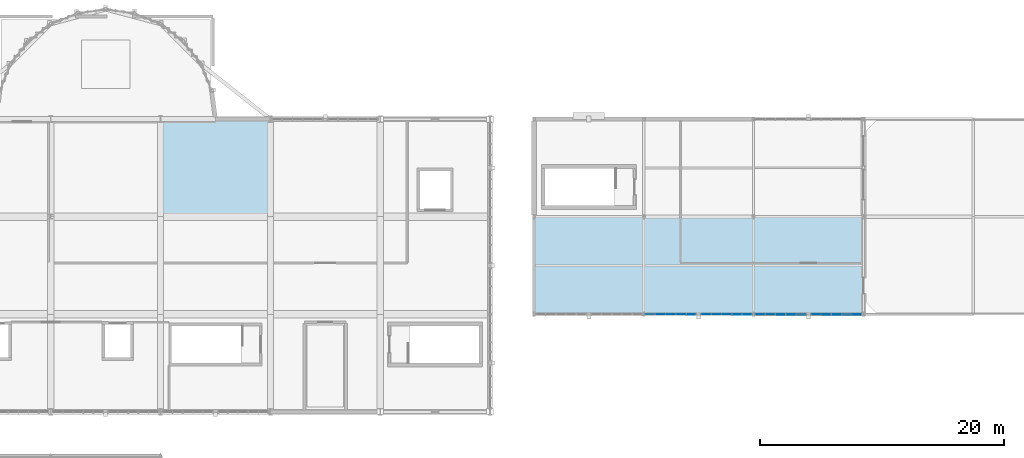
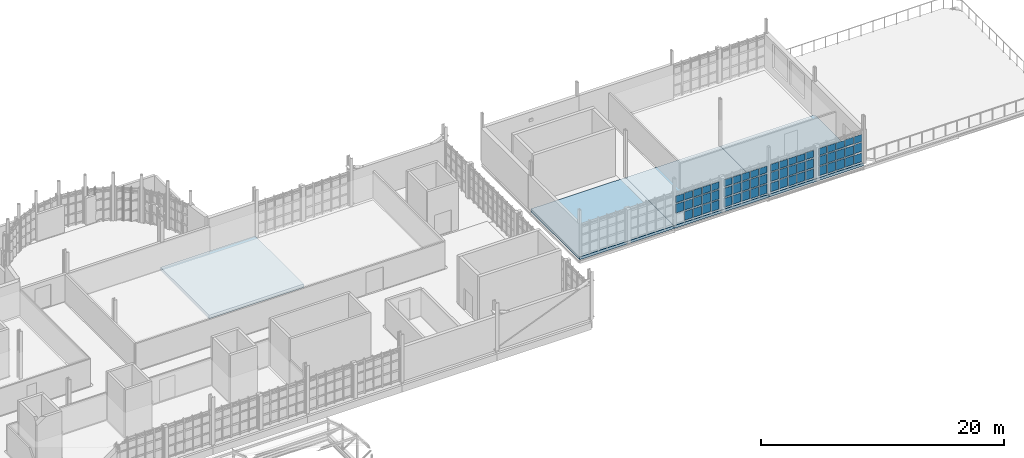
# One storey, part 91 of 128: 59 plates, 4 slabs, 4 elements without a shape of their own.
"""IFC4 building model written with IfcOpenShell, lengths in metres."""

from ifc_helpers import new_model, si_unit, direction, frame, origin, origin_2d, place, context, subcontext, project, spatial, polyline, rectangle, outline, extrude, material, layer, layer_set, type_object, element, aggregate, save


model = new_model("IFC4")

# Units and contexts
model_context = context("Model", 3, precision=1e-05, world=origin(), true_north=direction((0.0, 1.0)))
body_context = subcontext(model_context, "Body", "Model", "MODEL_VIEW")
ifc_project = project(units=[si_unit("LENGTHUNIT", "METRE"), si_unit("AREAUNIT", "SQUARE_METRE"), si_unit("VOLUMEUNIT", "CUBIC_METRE"), si_unit("PLANEANGLEUNIT", "RADIAN"), si_unit("MASSUNIT", "GRAM", prefix="KILO")], contexts=[model_context])

# Site, building, storey
site_placement = place(None, origin())
site = spatial("IfcSite", under=ifc_project, at=site_placement, CompositionType="ELEMENT")
building_placement = place(site_placement, origin())
building = spatial("IfcBuilding", under=site, at=building_placement, Name="Serraforn Aerial Cableway Station", CompositionType="ELEMENT")
storey_placement = place(building_placement, frame((0.0, 0.0, 9.0)))
storey = spatial("IfcBuildingStorey", under=building, at=storey_placement, Name="L02", CompositionType="ELEMENT", Elevation=9.0)

# Curtain wall, plates
ifc_material_1 = material(Name="Anodised bronze unitised curtain wall")
curtain_wall_type_1 = type_object("IfcCurtainWallType", Name="CW-SYS-25", PredefinedType="USERDEFINED", material=ifc_material_1)
curtain_wall_1_placement = place(storey_placement, origin())
curtain_wall_1 = element("IfcCurtainWall", 1, at=curtain_wall_1_placement, inside=storey, type_object=curtain_wall_type_1, Name="Unitised Curtain Wall CW-EL-L02-S2A", ObjectType="UNITISED CURTAIN WALL", PredefinedType="USERDEFINED")
ifc_material_2 = material(Name="Solar-control low-E double glazing", Category="glass")
ifc_layer_1 = layer(ifc_material_2, 0.02587890625)
ifc_layer_set_1 = layer_set([ifc_layer_1], Name="Solar-control low-E double glazing")
plate_type_1 = type_object("IfcPlateType", Name="CW-GLZ-1", PredefinedType="CURTAIN_PANEL", material=ifc_layer_set_1)
plate_1_placement = place(storey_placement, frame((104.563232421875, 26.0, 2.26953125), z_axis=(0.0, 0.0, 1.0), x_axis=(1.0, 0.0, 0.0)))
plate_1 = element("IfcPlate", 2, at=plate_1_placement, type_object=plate_type_1, Name="Curtain Wall Panel CW-EL-L02-S2A-P2-3", PredefinedType="CURTAIN_PANEL", context=body_context, shape_type="SweptSolid", body=[
    extrude(rectangle(XDim=0.785888671875, YDim=0.02587890625, at=origin_2d()), origin(), (0.0, 0.0, 1.0), 0.687255859375),
])
plate_2_placement = place(storey_placement, frame((105.40771484375, 26.0, 1.243408203125), z_axis=(0.0, 0.0, 1.0), x_axis=(1.0, 0.0, 0.0)))
plate_2 = element("IfcPlate", 3, at=plate_2_placement, type_object=plate_type_1, Name="Curtain Wall Panel CW-EL-L02-S2A-P3-2", PredefinedType="CURTAIN_PANEL", context=body_context, shape_type="SweptSolid", body=[
    extrude(rectangle(XDim=0.781005859375, YDim=0.02587890625, at=origin_2d()), origin(), (0.0, 0.0, 1.0), 0.892578125),
])
plate_3_placement = place(storey_placement, frame((106.252197265625, 26.0, 0.21728515625), z_axis=(0.0, 0.0, 1.0), x_axis=(1.0, 0.0, 0.0)))
plate_3 = element("IfcPlate", 4, at=plate_3_placement, type_object=plate_type_1, Name="Curtain Wall Panel CW-EL-L02-S2A-P4-1", PredefinedType="CURTAIN_PANEL", context=body_context, shape_type="SweptSolid", body=[
    extrude(rectangle(XDim=0.77587890625, YDim=0.02587890625, at=origin_2d()), origin(), (0.0, 0.0, 1.0), 0.892578125),
])

curtain_wall_type_2 = type_object("IfcCurtainWallType", Name="CW-SYS-26", PredefinedType="USERDEFINED", material=ifc_material_1)
curtain_wall_2_placement = place(storey_placement, origin())
curtain_wall_2 = element("IfcCurtainWall", 5, at=curtain_wall_2_placement, inside=storey, type_object=curtain_wall_type_2, Name="Unitised Curtain Wall CW-EL-L02-S2B", ObjectType="UNITISED CURTAIN WALL", PredefinedType="USERDEFINED")
plate_4_placement = place(storey_placement, frame((108.31591796875, 26.0, 2.26953125), z_axis=(0.0, 0.0, 1.0), x_axis=(1.0, 0.0, 0.0)))
plate_4 = element("IfcPlate", 6, at=plate_4_placement, type_object=plate_type_1, Name="Curtain Wall Panel CW-EL-L02-S2B-P1-3", PredefinedType="CURTAIN_PANEL", context=body_context, shape_type="SweptSolid", body=[
    extrude(rectangle(XDim=0.755859375, YDim=0.02587890625, at=origin_2d()), origin(), (0.0, 0.0, 1.0), 0.687255859375),
])
plate_5_placement = place(storey_placement, frame((109.145263671875, 26.0, 1.243408203125), z_axis=(0.0, 0.0, 1.0), x_axis=(1.0, 0.0, 0.0)))
plate_5 = element("IfcPlate", 7, at=plate_5_placement, type_object=plate_type_1, Name="Curtain Wall Panel CW-EL-L02-S2B-P2-2", PredefinedType="CURTAIN_PANEL", context=body_context, shape_type="SweptSolid", body=[
    extrude(rectangle(XDim=0.781005859375, YDim=0.02587890625, at=origin_2d()), origin(), (0.0, 0.0, 1.0), 0.892578125),
])
plate_6_placement = place(storey_placement, frame((109.98974609375, 26.0, 0.21728515625), z_axis=(0.0, 0.0, 1.0), x_axis=(1.0, 0.0, 0.0)))
plate_6 = element("IfcPlate", 8, at=plate_6_placement, type_object=plate_type_1, Name="Curtain Wall Panel CW-EL-L02-S2B-P3-1", PredefinedType="CURTAIN_PANEL", context=body_context, shape_type="SweptSolid", body=[
    extrude(rectangle(XDim=0.77587890625, YDim=0.02587890625, at=origin_2d()), origin(), (0.0, 0.0, 1.0), 0.892578125),
])

curtain_wall_type_3 = type_object("IfcCurtainWallType", Name="CW-SYS-27", PredefinedType="USERDEFINED", material=ifc_material_1)
curtain_wall_3_placement = place(storey_placement, origin())
curtain_wall_3 = element("IfcCurtainWall", 9, at=curtain_wall_3_placement, inside=storey, type_object=curtain_wall_type_3, Name="Unitised Curtain Wall CW-EL-L02-S3A", ObjectType="UNITISED CURTAIN WALL", PredefinedType="USERDEFINED")
plate_7_placement = place(storey_placement, frame((112.735107421875, 26.0, 1.243408203125), z_axis=(0.0, 0.0, 1.0), x_axis=(1.0, 0.0, 0.0)))
plate_7 = element("IfcPlate", 10, at=plate_7_placement, type_object=plate_type_1, Name="Curtain Wall Panel CW-EL-L02-S3A-P1-2", PredefinedType="CURTAIN_PANEL", context=body_context, shape_type="SweptSolid", body=[
    extrude(rectangle(XDim=0.748291015625, YDim=0.02587890625, at=origin_2d()), origin(), (0.0, 0.0, 1.0), 0.892578125),
])
plate_8_placement = place(storey_placement, frame((113.563232421875, 26.0, 0.21728515625), z_axis=(0.0, 0.0, 1.0), x_axis=(1.0, 0.0, 0.0)))
plate_8 = element("IfcPlate", 11, at=plate_8_placement, type_object=plate_type_1, Name="Curtain Wall Panel CW-EL-L02-S3A-P2-1", PredefinedType="CURTAIN_PANEL", context=body_context, shape_type="SweptSolid", body=[
    extrude(rectangle(XDim=0.77587890625, YDim=0.02587890625, at=origin_2d()), origin(), (0.0, 0.0, 1.0), 0.892578125),
])

# Curtain wall, plate
curtain_wall_type_4 = type_object("IfcCurtainWallType", Name="CW-SYS-28", PredefinedType="USERDEFINED", material=ifc_material_1)
curtain_wall_4_placement = place(storey_placement, origin())
curtain_wall_4 = element("IfcCurtainWall", 12, at=curtain_wall_4_placement, inside=storey, type_object=curtain_wall_type_4, Name="Unitised Curtain Wall CW-EL-L02-S3B", ObjectType="UNITISED CURTAIN WALL", PredefinedType="USERDEFINED")
plate_9_placement = place(storey_placement, frame((117.318359375, 26.0, 0.21728515625), z_axis=(0.0, 0.0, 1.0), x_axis=(1.0, 0.0, 0.0)))
plate_9 = element("IfcPlate", 13, at=plate_9_placement, type_object=plate_type_1, Name="Curtain Wall Panel CW-EL-L02-S3B-P1-1", PredefinedType="CURTAIN_PANEL", context=body_context, shape_type="SweptSolid", body=[
    extrude(rectangle(XDim=0.740966796875, YDim=0.02587890625, at=origin_2d()), origin(), (0.0, 0.0, 1.0), 0.892578125),
])

# Plate
ifc_layer_2 = layer(ifc_material_2, 0.028076171875)
ifc_layer_set_2 = layer_set([ifc_layer_2], Name="Solar-control low-E double glazing")
plate_type_2 = type_object("IfcPlateType", Name="CW-GLZ-2", PredefinedType="CURTAIN_PANEL", material=ifc_layer_set_2)
plate_10_placement = place(storey_placement, frame((105.40771484375, 26.0, 2.24169921875), z_axis=(0.0, 0.0, 1.0), x_axis=(1.0, 0.0, 0.0)))
plate_10 = element("IfcPlate", 14, at=plate_10_placement, type_object=plate_type_2, Name="Curtain Wall Panel CW-EL-L02-S2A-P3-3", PredefinedType="CURTAIN_PANEL", context=body_context, shape_type="SweptSolid", body=[
    extrude(rectangle(XDim=0.781005859375, YDim=0.028076171875, at=origin_2d()), origin(), (0.0, 0.0, 1.0), 0.709716796875),
])

plate_11_placement = place(storey_placement, frame((106.252197265625, 26.0, 1.2158203125), z_axis=(0.0, 0.0, 1.0), x_axis=(1.0, 0.0, 0.0)))
plate_11 = element("IfcPlate", 15, at=plate_11_placement, type_object=plate_type_2, Name="Curtain Wall Panel CW-EL-L02-S2A-P4-2", PredefinedType="CURTAIN_PANEL", context=body_context, shape_type="SweptSolid", body=[
    extrude(rectangle(XDim=0.77587890625, YDim=0.028076171875, at=origin_2d()), origin(), (0.0, 0.0, 1.0), 0.9150390625),
])

plate_12_placement = place(storey_placement, frame((107.089111328125, 26.0, 0.189697265625), z_axis=(0.0, 0.0, 1.0), x_axis=(1.0, 0.0, 0.0)))
plate_12 = element("IfcPlate", 16, at=plate_12_placement, type_object=plate_type_2, Name="Curtain Wall Panel CW-EL-L02-S2A-P5-1", PredefinedType="CURTAIN_PANEL", context=body_context, shape_type="SweptSolid", body=[
    extrude(rectangle(XDim=0.755859375, YDim=0.028076171875, at=origin_2d()), origin(), (0.0, 0.0, 1.0), 0.9150390625),
])

plate_13_placement = place(storey_placement, frame((109.145263671875, 26.0, 2.24169921875), z_axis=(0.0, 0.0, 1.0), x_axis=(1.0, 0.0, 0.0)))
plate_13 = element("IfcPlate", 17, at=plate_13_placement, type_object=plate_type_2, Name="Curtain Wall Panel CW-EL-L02-S2B-P2-3", PredefinedType="CURTAIN_PANEL", context=body_context, shape_type="SweptSolid", body=[
    extrude(rectangle(XDim=0.781005859375, YDim=0.028076171875, at=origin_2d()), origin(), (0.0, 0.0, 1.0), 0.709716796875),
])

plate_14_placement = place(storey_placement, frame((109.98974609375, 26.0, 1.2158203125), z_axis=(0.0, 0.0, 1.0), x_axis=(1.0, 0.0, 0.0)))
plate_14 = element("IfcPlate", 18, at=plate_14_placement, type_object=plate_type_2, Name="Curtain Wall Panel CW-EL-L02-S2B-P3-2", PredefinedType="CURTAIN_PANEL", context=body_context, shape_type="SweptSolid", body=[
    extrude(rectangle(XDim=0.77587890625, YDim=0.028076171875, at=origin_2d()), origin(), (0.0, 0.0, 1.0), 0.9150390625),
])

plate_15_placement = place(storey_placement, frame((110.84033203125, 26.0, 0.189697265625), z_axis=(0.0, 0.0, 1.0), x_axis=(1.0, 0.0, 0.0)))
plate_15 = element("IfcPlate", 19, at=plate_15_placement, type_object=plate_type_2, Name="Curtain Wall Panel CW-EL-L02-S2B-P4-1", PredefinedType="CURTAIN_PANEL", context=body_context, shape_type="SweptSolid", body=[
    extrude(rectangle(XDim=0.783447265625, YDim=0.028076171875, at=origin_2d()), origin(), (0.0, 0.0, 1.0), 0.9150390625),
])

plate_16_placement = place(storey_placement, frame((112.735107421875, 26.0, 2.24169921875), z_axis=(0.0, 0.0, 1.0), x_axis=(1.0, 0.0, 0.0)))
plate_16 = element("IfcPlate", 20, at=plate_16_placement, type_object=plate_type_2, Name="Curtain Wall Panel CW-EL-L02-S3A-P1-3", PredefinedType="CURTAIN_PANEL", context=body_context, shape_type="SweptSolid", body=[
    extrude(rectangle(XDim=0.748291015625, YDim=0.028076171875, at=origin_2d()), origin(), (0.0, 0.0, 1.0), 0.709716796875),
])

plate_17_placement = place(storey_placement, frame((113.563232421875, 26.0, 1.2158203125), z_axis=(0.0, 0.0, 1.0), x_axis=(1.0, 0.0, 0.0)))
plate_17 = element("IfcPlate", 21, at=plate_17_placement, type_object=plate_type_2, Name="Curtain Wall Panel CW-EL-L02-S3A-P2-2", PredefinedType="CURTAIN_PANEL", context=body_context, shape_type="SweptSolid", body=[
    extrude(rectangle(XDim=0.77587890625, YDim=0.028076171875, at=origin_2d()), origin(), (0.0, 0.0, 1.0), 0.9150390625),
])

plate_18_placement = place(storey_placement, frame((114.4140625, 26.0, 0.189697265625), z_axis=(0.0, 0.0, 1.0), x_axis=(1.0, 0.0, 0.0)))
plate_18 = element("IfcPlate", 22, at=plate_18_placement, type_object=plate_type_2, Name="Curtain Wall Panel CW-EL-L02-S3A-P3-1", PredefinedType="CURTAIN_PANEL", context=body_context, shape_type="SweptSolid", body=[
    extrude(rectangle(XDim=0.783447265625, YDim=0.028076171875, at=origin_2d()), origin(), (0.0, 0.0, 1.0), 0.9150390625),
])

plate_19_placement = place(storey_placement, frame((117.318359375, 26.0, 1.2158203125), z_axis=(0.0, 0.0, 1.0), x_axis=(1.0, 0.0, 0.0)))
plate_19 = element("IfcPlate", 23, at=plate_19_placement, type_object=plate_type_2, Name="Curtain Wall Panel CW-EL-L02-S3B-P1-2", PredefinedType="CURTAIN_PANEL", context=body_context, shape_type="SweptSolid", body=[
    extrude(rectangle(XDim=0.740966796875, YDim=0.028076171875, at=origin_2d()), origin(), (0.0, 0.0, 1.0), 0.9150390625),
])

plate_20_placement = place(storey_placement, frame((118.151611328125, 26.0, 0.189697265625), z_axis=(0.0, 0.0, 1.0), x_axis=(1.0, 0.0, 0.0)))
plate_20 = element("IfcPlate", 24, at=plate_20_placement, type_object=plate_type_2, Name="Curtain Wall Panel CW-EL-L02-S3B-P2-1", PredefinedType="CURTAIN_PANEL", context=body_context, shape_type="SweptSolid", body=[
    extrude(rectangle(XDim=0.783447265625, YDim=0.028076171875, at=origin_2d()), origin(), (0.0, 0.0, 1.0), 0.9150390625),
])

ifc_layer_3 = layer(ifc_material_2, 0.030029296875)
ifc_layer_set_3 = layer_set([ifc_layer_3], Name="Solar-control low-E double glazing")
plate_type_3 = type_object("IfcPlateType", Name="CW-GLZ-3", PredefinedType="CURTAIN_PANEL", material=ifc_layer_set_3)
plate_21_placement = place(storey_placement, frame((106.252197265625, 26.0, 2.246826171875), z_axis=(0.0, 0.0, 1.0), x_axis=(1.0, 0.0, 0.0)))
plate_21 = element("IfcPlate", 25, at=plate_21_placement, type_object=plate_type_3, Name="Curtain Wall Panel CW-EL-L02-S2A-P4-3", PredefinedType="CURTAIN_PANEL", context=body_context, shape_type="SweptSolid", body=[
    extrude(rectangle(XDim=0.77587890625, YDim=0.030029296875, at=origin_2d()), origin(), (0.0, 0.0, 1.0), 0.697265625),
])

plate_22_placement = place(storey_placement, frame((107.089111328125, 26.0, 1.220703125), z_axis=(0.0, 0.0, 1.0), x_axis=(1.0, 0.0, 0.0)))
plate_22 = element("IfcPlate", 26, at=plate_22_placement, type_object=plate_type_3, Name="Curtain Wall Panel CW-EL-L02-S2A-P5-2", PredefinedType="CURTAIN_PANEL", context=body_context, shape_type="SweptSolid", body=[
    extrude(rectangle(XDim=0.755859375, YDim=0.030029296875, at=origin_2d()), origin(), (0.0, 0.0, 1.0), 0.902587890625),
])

plate_23_placement = place(storey_placement, frame((109.98974609375, 26.0, 2.246826171875), z_axis=(0.0, 0.0, 1.0), x_axis=(1.0, 0.0, 0.0)))
plate_23 = element("IfcPlate", 27, at=plate_23_placement, type_object=plate_type_3, Name="Curtain Wall Panel CW-EL-L02-S2B-P3-3", PredefinedType="CURTAIN_PANEL", context=body_context, shape_type="SweptSolid", body=[
    extrude(rectangle(XDim=0.77587890625, YDim=0.030029296875, at=origin_2d()), origin(), (0.0, 0.0, 1.0), 0.697265625),
])

plate_24_placement = place(storey_placement, frame((110.84033203125, 26.0, 1.220703125), z_axis=(0.0, 0.0, 1.0), x_axis=(1.0, 0.0, 0.0)))
plate_24 = element("IfcPlate", 28, at=plate_24_placement, type_object=plate_type_3, Name="Curtain Wall Panel CW-EL-L02-S2B-P4-2", PredefinedType="CURTAIN_PANEL", context=body_context, shape_type="SweptSolid", body=[
    extrude(rectangle(XDim=0.783447265625, YDim=0.030029296875, at=origin_2d()), origin(), (0.0, 0.0, 1.0), 0.902587890625),
])

plate_25_placement = place(storey_placement, frame((111.66357421875, 26.0, 0.19482421875), z_axis=(0.0, 0.0, 1.0), x_axis=(1.0, 0.0, 0.0)))
plate_25 = element("IfcPlate", 29, at=plate_25_placement, type_object=plate_type_3, Name="Curtain Wall Panel CW-EL-L02-S2B-P5-1", PredefinedType="CURTAIN_PANEL", context=body_context, shape_type="SweptSolid", body=[
    extrude(rectangle(XDim=0.760986328125, YDim=0.030029296875, at=origin_2d()), origin(), (0.0, 0.0, 1.0), 0.902587890625),
])

plate_26_placement = place(storey_placement, frame((113.563232421875, 26.0, 2.246826171875), z_axis=(0.0, 0.0, 1.0), x_axis=(1.0, 0.0, 0.0)))
plate_26 = element("IfcPlate", 30, at=plate_26_placement, type_object=plate_type_3, Name="Curtain Wall Panel CW-EL-L02-S3A-P2-3", PredefinedType="CURTAIN_PANEL", context=body_context, shape_type="SweptSolid", body=[
    extrude(rectangle(XDim=0.77587890625, YDim=0.030029296875, at=origin_2d()), origin(), (0.0, 0.0, 1.0), 0.697265625),
])

plate_27_placement = place(storey_placement, frame((114.4140625, 26.0, 1.220703125), z_axis=(0.0, 0.0, 1.0), x_axis=(1.0, 0.0, 0.0)))
plate_27 = element("IfcPlate", 31, at=plate_27_placement, type_object=plate_type_3, Name="Curtain Wall Panel CW-EL-L02-S3A-P3-2", PredefinedType="CURTAIN_PANEL", context=body_context, shape_type="SweptSolid", body=[
    extrude(rectangle(XDim=0.783447265625, YDim=0.030029296875, at=origin_2d()), origin(), (0.0, 0.0, 1.0), 0.902587890625),
])

plate_28_placement = place(storey_placement, frame((115.252197265625, 26.0, 0.19482421875), z_axis=(0.0, 0.0, 1.0), x_axis=(1.0, 0.0, 0.0)))
plate_28 = element("IfcPlate", 32, at=plate_28_placement, type_object=plate_type_3, Name="Curtain Wall Panel CW-EL-L02-S3A-P4-1", PredefinedType="CURTAIN_PANEL", context=body_context, shape_type="SweptSolid", body=[
    extrude(rectangle(XDim=0.791015625, YDim=0.030029296875, at=origin_2d()), origin(), (0.0, 0.0, 1.0), 0.902587890625),
])

plate_29_placement = place(storey_placement, frame((117.318359375, 26.0, 2.246826171875), z_axis=(0.0, 0.0, 1.0), x_axis=(1.0, 0.0, 0.0)))
plate_29 = element("IfcPlate", 33, at=plate_29_placement, type_object=plate_type_3, Name="Curtain Wall Panel CW-EL-L02-S3B-P1-3", PredefinedType="CURTAIN_PANEL", context=body_context, shape_type="SweptSolid", body=[
    extrude(rectangle(XDim=0.740966796875, YDim=0.030029296875, at=origin_2d()), origin(), (0.0, 0.0, 1.0), 0.697265625),
])

plate_30_placement = place(storey_placement, frame((118.151611328125, 26.0, 1.220703125), z_axis=(0.0, 0.0, 1.0), x_axis=(1.0, 0.0, 0.0)))
plate_30 = element("IfcPlate", 34, at=plate_30_placement, type_object=plate_type_3, Name="Curtain Wall Panel CW-EL-L02-S3B-P2-2", PredefinedType="CURTAIN_PANEL", context=body_context, shape_type="SweptSolid", body=[
    extrude(rectangle(XDim=0.783447265625, YDim=0.030029296875, at=origin_2d()), origin(), (0.0, 0.0, 1.0), 0.902587890625),
])

plate_31_placement = place(storey_placement, frame((118.98974609375, 26.0, 0.19482421875), z_axis=(0.0, 0.0, 1.0), x_axis=(1.0, 0.0, 0.0)))
plate_31 = element("IfcPlate", 35, at=plate_31_placement, type_object=plate_type_3, Name="Curtain Wall Panel CW-EL-L02-S3B-P3-1", PredefinedType="CURTAIN_PANEL", context=body_context, shape_type="SweptSolid", body=[
    extrude(rectangle(XDim=0.791015625, YDim=0.030029296875, at=origin_2d()), origin(), (0.0, 0.0, 1.0), 0.902587890625),
])

ifc_layer_4 = layer(ifc_material_2, 0.031982421875)
ifc_layer_set_4 = layer_set([ifc_layer_4], Name="Solar-control low-E double glazing")
plate_type_4 = type_object("IfcPlateType", Name="CW-GLZ-4", PredefinedType="CURTAIN_PANEL", material=ifc_layer_set_4)
plate_32_placement = place(storey_placement, frame((107.089111328125, 26.0, 2.25439453125), z_axis=(0.0, 0.0, 1.0), x_axis=(1.0, 0.0, 0.0)))
plate_32 = element("IfcPlate", 36, at=plate_32_placement, type_object=plate_type_4, Name="Curtain Wall Panel CW-EL-L02-S2A-P5-3", PredefinedType="CURTAIN_PANEL", context=body_context, shape_type="SweptSolid", body=[
    extrude(rectangle(XDim=0.755859375, YDim=0.031982421875, at=origin_2d()), origin(), (0.0, 0.0, 1.0), 0.682373046875),
])

plate_33_placement = place(storey_placement, frame((110.84033203125, 26.0, 2.25439453125), z_axis=(0.0, 0.0, 1.0), x_axis=(1.0, 0.0, 0.0)))
plate_33 = element("IfcPlate", 37, at=plate_33_placement, type_object=plate_type_4, Name="Curtain Wall Panel CW-EL-L02-S2B-P4-3", PredefinedType="CURTAIN_PANEL", context=body_context, shape_type="SweptSolid", body=[
    extrude(rectangle(XDim=0.783447265625, YDim=0.031982421875, at=origin_2d()), origin(), (0.0, 0.0, 1.0), 0.682373046875),
])

plate_34_placement = place(storey_placement, frame((111.66357421875, 26.0, 1.228515625), z_axis=(0.0, 0.0, 1.0), x_axis=(1.0, 0.0, 0.0)))
plate_34 = element("IfcPlate", 38, at=plate_34_placement, type_object=plate_type_4, Name="Curtain Wall Panel CW-EL-L02-S2B-P5-2", PredefinedType="CURTAIN_PANEL", context=body_context, shape_type="SweptSolid", body=[
    extrude(rectangle(XDim=0.760986328125, YDim=0.031982421875, at=origin_2d()), origin(), (0.0, 0.0, 1.0), 0.887451171875),
])

plate_35_placement = place(storey_placement, frame((114.4140625, 26.0, 2.25439453125), z_axis=(0.0, 0.0, 1.0), x_axis=(1.0, 0.0, 0.0)))
plate_35 = element("IfcPlate", 39, at=plate_35_placement, type_object=plate_type_4, Name="Curtain Wall Panel CW-EL-L02-S3A-P3-3", PredefinedType="CURTAIN_PANEL", context=body_context, shape_type="SweptSolid", body=[
    extrude(rectangle(XDim=0.783447265625, YDim=0.031982421875, at=origin_2d()), origin(), (0.0, 0.0, 1.0), 0.682373046875),
])

plate_36_placement = place(storey_placement, frame((115.252197265625, 26.0, 1.228515625), z_axis=(0.0, 0.0, 1.0), x_axis=(1.0, 0.0, 0.0)))
plate_36 = element("IfcPlate", 40, at=plate_36_placement, type_object=plate_type_4, Name="Curtain Wall Panel CW-EL-L02-S3A-P4-2", PredefinedType="CURTAIN_PANEL", context=body_context, shape_type="SweptSolid", body=[
    extrude(rectangle(XDim=0.791015625, YDim=0.031982421875, at=origin_2d()), origin(), (0.0, 0.0, 1.0), 0.887451171875),
])

plate_37_placement = place(storey_placement, frame((116.080322265625, 26.0, 0.2021484375), z_axis=(0.0, 0.0, 1.0), x_axis=(1.0, 0.0, 0.0)))
plate_37 = element("IfcPlate", 41, at=plate_37_placement, type_object=plate_type_4, Name="Curtain Wall Panel CW-EL-L02-S3A-P5-1", PredefinedType="CURTAIN_PANEL", context=body_context, shape_type="SweptSolid", body=[
    extrude(rectangle(XDim=0.75341796875, YDim=0.031982421875, at=origin_2d()), origin(), (0.0, 0.0, 1.0), 0.887451171875),
])

plate_38_placement = place(storey_placement, frame((118.151611328125, 26.0, 2.25439453125), z_axis=(0.0, 0.0, 1.0), x_axis=(1.0, 0.0, 0.0)))
plate_38 = element("IfcPlate", 42, at=plate_38_placement, type_object=plate_type_4, Name="Curtain Wall Panel CW-EL-L02-S3B-P2-3", PredefinedType="CURTAIN_PANEL", context=body_context, shape_type="SweptSolid", body=[
    extrude(rectangle(XDim=0.783447265625, YDim=0.031982421875, at=origin_2d()), origin(), (0.0, 0.0, 1.0), 0.682373046875),
])

plate_39_placement = place(storey_placement, frame((118.98974609375, 26.0, 1.228515625), z_axis=(0.0, 0.0, 1.0), x_axis=(1.0, 0.0, 0.0)))
plate_39 = element("IfcPlate", 43, at=plate_39_placement, type_object=plate_type_4, Name="Curtain Wall Panel CW-EL-L02-S3B-P3-2", PredefinedType="CURTAIN_PANEL", context=body_context, shape_type="SweptSolid", body=[
    extrude(rectangle(XDim=0.791015625, YDim=0.031982421875, at=origin_2d()), origin(), (0.0, 0.0, 1.0), 0.887451171875),
])

plate_40_placement = place(storey_placement, frame((119.833984375, 26.0, 0.2021484375), z_axis=(0.0, 0.0, 1.0), x_axis=(1.0, 0.0, 0.0)))
plate_40 = element("IfcPlate", 44, at=plate_40_placement, type_object=plate_type_4, Name="Curtain Wall Panel CW-EL-L02-S3B-P4-1", PredefinedType="CURTAIN_PANEL", context=body_context, shape_type="SweptSolid", body=[
    extrude(rectangle(XDim=0.785888671875, YDim=0.031982421875, at=origin_2d()), origin(), (0.0, 0.0, 1.0), 0.887451171875),
])

ifc_layer_5 = layer(ifc_material_2, 0.033935546875)
ifc_layer_set_5 = layer_set([ifc_layer_5], Name="Solar-control low-E double glazing")
plate_type_5 = type_object("IfcPlateType", Name="CW-GLZ-5", PredefinedType="CURTAIN_PANEL", material=ifc_layer_set_5)
plate_41_placement = place(storey_placement, frame((111.66357421875, 26.0, 2.26171875), z_axis=(0.0, 0.0, 1.0), x_axis=(1.0, 0.0, 0.0)))
plate_41 = element("IfcPlate", 45, at=plate_41_placement, type_object=plate_type_5, Name="Curtain Wall Panel CW-EL-L02-S2B-P5-3", PredefinedType="CURTAIN_PANEL", context=body_context, shape_type="SweptSolid", body=[
    extrude(rectangle(XDim=0.760986328125, YDim=0.033935546875, at=origin_2d()), origin(), (0.0, 0.0, 1.0), 0.667236328125),
])

plate_42_placement = place(storey_placement, frame((115.252197265625, 26.0, 2.26171875), z_axis=(0.0, 0.0, 1.0), x_axis=(1.0, 0.0, 0.0)))
plate_42 = element("IfcPlate", 46, at=plate_42_placement, type_object=plate_type_5, Name="Curtain Wall Panel CW-EL-L02-S3A-P4-3", PredefinedType="CURTAIN_PANEL", context=body_context, shape_type="SweptSolid", body=[
    extrude(rectangle(XDim=0.791015625, YDim=0.033935546875, at=origin_2d()), origin(), (0.0, 0.0, 1.0), 0.667236328125),
])

plate_43_placement = place(storey_placement, frame((116.080322265625, 26.0, 1.23583984375), z_axis=(0.0, 0.0, 1.0), x_axis=(1.0, 0.0, 0.0)))
plate_43 = element("IfcPlate", 47, at=plate_43_placement, type_object=plate_type_5, Name="Curtain Wall Panel CW-EL-L02-S3A-P5-2", PredefinedType="CURTAIN_PANEL", context=body_context, shape_type="SweptSolid", body=[
    extrude(rectangle(XDim=0.75341796875, YDim=0.033935546875, at=origin_2d()), origin(), (0.0, 0.0, 1.0), 0.87255859375),
])

plate_44_placement = place(storey_placement, frame((118.98974609375, 26.0, 2.26171875), z_axis=(0.0, 0.0, 1.0), x_axis=(1.0, 0.0, 0.0)))
plate_44 = element("IfcPlate", 48, at=plate_44_placement, type_object=plate_type_5, Name="Curtain Wall Panel CW-EL-L02-S3B-P3-3", PredefinedType="CURTAIN_PANEL", context=body_context, shape_type="SweptSolid", body=[
    extrude(rectangle(XDim=0.791015625, YDim=0.033935546875, at=origin_2d()), origin(), (0.0, 0.0, 1.0), 0.667236328125),
])

plate_45_placement = place(storey_placement, frame((119.833984375, 26.0, 1.23583984375), z_axis=(0.0, 0.0, 1.0), x_axis=(1.0, 0.0, 0.0)))
plate_45 = element("IfcPlate", 49, at=plate_45_placement, type_object=plate_type_5, Name="Curtain Wall Panel CW-EL-L02-S3B-P4-2", PredefinedType="CURTAIN_PANEL", context=body_context, shape_type="SweptSolid", body=[
    extrude(rectangle(XDim=0.785888671875, YDim=0.033935546875, at=origin_2d()), origin(), (0.0, 0.0, 1.0), 0.87255859375),
])

plate_46_placement = place(storey_placement, frame((120.6611328125, 26.0, 0.209716796875), z_axis=(0.0, 0.0, 1.0), x_axis=(1.0, 0.0, 0.0)))
plate_46 = element("IfcPlate", 50, at=plate_46_placement, type_object=plate_type_5, Name="Curtain Wall Panel CW-EL-L02-S3B-P5-1", PredefinedType="CURTAIN_PANEL", context=body_context, shape_type="SweptSolid", body=[
    extrude(rectangle(XDim=0.745849609375, YDim=0.033935546875, at=origin_2d()), origin(), (0.0, 0.0, 1.0), 0.87255859375),
])

ifc_layer_6 = layer(ifc_material_2, 0.035888671875)
ifc_layer_set_6 = layer_set([ifc_layer_6], Name="Solar-control low-E double glazing")
plate_type_6 = type_object("IfcPlateType", Name="CW-GLZ-6", PredefinedType="CURTAIN_PANEL", material=ifc_layer_set_6)
plate_47_placement = place(storey_placement, frame((116.080322265625, 26.0, 2.26953125), z_axis=(0.0, 0.0, 1.0), x_axis=(1.0, 0.0, 0.0)))
plate_47 = element("IfcPlate", 51, at=plate_47_placement, type_object=plate_type_6, Name="Curtain Wall Panel CW-EL-L02-S3A-P5-3", PredefinedType="CURTAIN_PANEL", context=body_context, shape_type="SweptSolid", body=[
    extrude(rectangle(XDim=0.75341796875, YDim=0.035888671875, at=origin_2d()), origin(), (0.0, 0.0, 1.0), 0.687255859375),
])

plate_48_placement = place(storey_placement, frame((119.833984375, 26.0, 2.26953125), z_axis=(0.0, 0.0, 1.0), x_axis=(1.0, 0.0, 0.0)))
plate_48 = element("IfcPlate", 52, at=plate_48_placement, type_object=plate_type_6, Name="Curtain Wall Panel CW-EL-L02-S3B-P4-3", PredefinedType="CURTAIN_PANEL", context=body_context, shape_type="SweptSolid", body=[
    extrude(rectangle(XDim=0.785888671875, YDim=0.035888671875, at=origin_2d()), origin(), (0.0, 0.0, 1.0), 0.687255859375),
])

plate_49_placement = place(storey_placement, frame((120.6611328125, 26.0, 1.243408203125), z_axis=(0.0, 0.0, 1.0), x_axis=(1.0, 0.0, 0.0)))
plate_49 = element("IfcPlate", 53, at=plate_49_placement, type_object=plate_type_6, Name="Curtain Wall Panel CW-EL-L02-S3B-P5-2", PredefinedType="CURTAIN_PANEL", context=body_context, shape_type="SweptSolid", body=[
    extrude(rectangle(XDim=0.745849609375, YDim=0.035888671875, at=origin_2d()), origin(), (0.0, 0.0, 1.0), 0.892578125),
])

ifc_layer_7 = layer(ifc_material_2, 0.029052734375)
ifc_layer_set_7 = layer_set([ifc_layer_7], Name="Solar-control low-E double glazing")
plate_type_7 = type_object("IfcPlateType", Name="CW-GLZ-7", PredefinedType="CURTAIN_PANEL", material=ifc_layer_set_7)
plate_50_placement = place(storey_placement, frame((103.732666015625, 26.0, 1.228515625), z_axis=(0.0, 0.0, 1.0), x_axis=(1.0, 0.0, 0.0)))
plate_50 = element("IfcPlate", 54, at=plate_50_placement, type_object=plate_type_7, Name="Curtain Wall Panel CW-EL-L02-S2A-P1-2", PredefinedType="CURTAIN_PANEL", context=body_context, shape_type="SweptSolid", body=[
    extrude(rectangle(XDim=0.763427734375, YDim=0.029052734375, at=origin_2d()), origin(), (0.0, 0.0, 1.0), 0.887451171875),
])

plate_51_placement = place(storey_placement, frame((104.563232421875, 26.0, 0.2021484375), z_axis=(0.0, 0.0, 1.0), x_axis=(1.0, 0.0, 0.0)))
plate_51 = element("IfcPlate", 55, at=plate_51_placement, type_object=plate_type_7, Name="Curtain Wall Panel CW-EL-L02-S2A-P2-1", PredefinedType="CURTAIN_PANEL", context=body_context, shape_type="SweptSolid", body=[
    extrude(rectangle(XDim=0.785888671875, YDim=0.029052734375, at=origin_2d()), origin(), (0.0, 0.0, 1.0), 0.887451171875),
])

plate_52_placement = place(storey_placement, frame((108.31591796875, 26.0, 0.2021484375), z_axis=(0.0, 0.0, 1.0), x_axis=(1.0, 0.0, 0.0)))
plate_52 = element("IfcPlate", 56, at=plate_52_placement, type_object=plate_type_7, Name="Curtain Wall Panel CW-EL-L02-S2B-P1-1", PredefinedType="CURTAIN_PANEL", context=body_context, shape_type="SweptSolid", body=[
    extrude(rectangle(XDim=0.755859375, YDim=0.029052734375, at=origin_2d()), origin(), (0.0, 0.0, 1.0), 0.887451171875),
])

plate_53_placement = place(storey_placement, frame((120.6611328125, 26.0, 2.24169921875), z_axis=(0.0, 0.0, 1.0), x_axis=(1.0, 0.0, 0.0)))
plate_53 = element("IfcPlate", 57, at=plate_53_placement, type_object=plate_type_7, Name="Curtain Wall Panel CW-EL-L02-S3B-P5-3", PredefinedType="CURTAIN_PANEL", context=body_context, shape_type="SweptSolid", body=[
    extrude(rectangle(XDim=0.745849609375, YDim=0.029052734375, at=origin_2d()), origin(), (0.0, 0.0, 1.0), 0.709716796875),
])

aggregate(curtain_wall_4, [plate_9, plate_19, plate_29, plate_20, plate_30, plate_38, plate_31, plate_39, plate_44, plate_40, plate_45, plate_48, plate_46, plate_49, plate_53])

ifc_layer_8 = layer(ifc_material_2, 0.031005859375)
ifc_layer_set_8 = layer_set([ifc_layer_8], Name="Solar-control low-E double glazing")
plate_type_8 = type_object("IfcPlateType", Name="CW-GLZ-8", PredefinedType="CURTAIN_PANEL", material=ifc_layer_set_8)
plate_54_placement = place(storey_placement, frame((103.732666015625, 26.0, 2.26171875), z_axis=(0.0, 0.0, 1.0), x_axis=(1.0, 0.0, 0.0)))
plate_54 = element("IfcPlate", 58, at=plate_54_placement, type_object=plate_type_8, Name="Curtain Wall Panel CW-EL-L02-S2A-P1-3", PredefinedType="CURTAIN_PANEL", context=body_context, shape_type="SweptSolid", body=[
    extrude(rectangle(XDim=0.763427734375, YDim=0.031005859375, at=origin_2d()), origin(), (0.0, 0.0, 1.0), 0.667236328125),
])

plate_55_placement = place(storey_placement, frame((104.563232421875, 26.0, 1.23583984375), z_axis=(0.0, 0.0, 1.0), x_axis=(1.0, 0.0, 0.0)))
plate_55 = element("IfcPlate", 59, at=plate_55_placement, type_object=plate_type_8, Name="Curtain Wall Panel CW-EL-L02-S2A-P2-2", PredefinedType="CURTAIN_PANEL", context=body_context, shape_type="SweptSolid", body=[
    extrude(rectangle(XDim=0.785888671875, YDim=0.031005859375, at=origin_2d()), origin(), (0.0, 0.0, 1.0), 0.87255859375),
])

plate_56_placement = place(storey_placement, frame((105.40771484375, 26.0, 0.209716796875), z_axis=(0.0, 0.0, 1.0), x_axis=(1.0, 0.0, 0.0)))
plate_56 = element("IfcPlate", 60, at=plate_56_placement, type_object=plate_type_8, Name="Curtain Wall Panel CW-EL-L02-S2A-P3-1", PredefinedType="CURTAIN_PANEL", context=body_context, shape_type="SweptSolid", body=[
    extrude(rectangle(XDim=0.781005859375, YDim=0.031005859375, at=origin_2d()), origin(), (0.0, 0.0, 1.0), 0.87255859375),
])

aggregate(curtain_wall_1, [plate_50, plate_54, plate_51, plate_55, plate_1, plate_56, plate_2, plate_10, plate_3, plate_11, plate_21, plate_12, plate_22, plate_32])

plate_57_placement = place(storey_placement, frame((108.31591796875, 26.0, 1.23583984375), z_axis=(0.0, 0.0, 1.0), x_axis=(1.0, 0.0, 0.0)))
plate_57 = element("IfcPlate", 61, at=plate_57_placement, type_object=plate_type_8, Name="Curtain Wall Panel CW-EL-L02-S2B-P1-2", PredefinedType="CURTAIN_PANEL", context=body_context, shape_type="SweptSolid", body=[
    extrude(rectangle(XDim=0.755859375, YDim=0.031005859375, at=origin_2d()), origin(), (0.0, 0.0, 1.0), 0.87255859375),
])

plate_58_placement = place(storey_placement, frame((109.145263671875, 26.0, 0.209716796875), z_axis=(0.0, 0.0, 1.0), x_axis=(1.0, 0.0, 0.0)))
plate_58 = element("IfcPlate", 62, at=plate_58_placement, type_object=plate_type_8, Name="Curtain Wall Panel CW-EL-L02-S2B-P2-1", PredefinedType="CURTAIN_PANEL", context=body_context, shape_type="SweptSolid", body=[
    extrude(rectangle(XDim=0.781005859375, YDim=0.031005859375, at=origin_2d()), origin(), (0.0, 0.0, 1.0), 0.87255859375),
])

aggregate(curtain_wall_2, [plate_52, plate_57, plate_4, plate_58, plate_5, plate_13, plate_6, plate_14, plate_23, plate_15, plate_24, plate_33, plate_25, plate_34, plate_41])

plate_59_placement = place(storey_placement, frame((112.735107421875, 26.0, 0.209716796875), z_axis=(0.0, 0.0, 1.0), x_axis=(1.0, 0.0, 0.0)))
plate_59 = element("IfcPlate", 63, at=plate_59_placement, type_object=plate_type_8, Name="Curtain Wall Panel CW-EL-L02-S3A-P1-1", PredefinedType="CURTAIN_PANEL", context=body_context, shape_type="SweptSolid", body=[
    extrude(rectangle(XDim=0.748291015625, YDim=0.031005859375, at=origin_2d()), origin(), (0.0, 0.0, 1.0), 0.87255859375),
])

aggregate(curtain_wall_3, [plate_59, plate_7, plate_16, plate_8, plate_17, plate_26, plate_18, plate_27, plate_35, plate_28, plate_36, plate_42, plate_37, plate_43, plate_47])

# Slabs
ifc_material_3 = material(Name="Concrete C35/45", Category="concrete")
ifc_layer_9 = layer(ifc_material_3, 0.27490234375)
ifc_layer_set_9 = layer_set([ifc_layer_9], Name="Concrete C35/45")
slab_type_1 = type_object("IfcSlabType", Name="SLB-FLR-275", PredefinedType="FLOOR", material=ifc_layer_set_9)
slab_1_placement = place(storey_placement, frame((0.0, 0.0, -0.27490234375)))
element("IfcSlab", 64, at=slab_1_placement, inside=storey, type_object=slab_type_1, Name="Floor Slab EL-L02-1-1", PredefinedType="FLOOR", context=body_context, shape_type="SweptSolid", body=[
    extrude(outline(polyline([(94.199951171875, 26.0), (103.199951171875, 26.0), (103.199951171875, 34.0), (94.199951171875, 34.0), (94.199951171875, 26.0)])), origin(), (0.0, 0.0, 1.0), 0.27490234375),
])
slab_2_placement = place(storey_placement, frame((0.0, 0.0, -0.27490234375)))
element("IfcSlab", 65, at=slab_2_placement, inside=storey, type_object=slab_type_1, Name="Floor Slab EL-L02-2-1", PredefinedType="FLOOR", context=body_context, shape_type="SweptSolid", body=[
    extrude(outline(polyline([(103.199951171875, 26.0), (112.199951171875, 26.0), (112.199951171875, 34.0), (103.199951171875, 34.0), (103.199951171875, 26.0)])), origin(), (0.0, 0.0, 1.0), 0.27490234375),
])
slab_3_placement = place(storey_placement, frame((0.0, 0.0, -0.27490234375)))
element("IfcSlab", 66, at=slab_3_placement, inside=storey, type_object=slab_type_1, Name="Floor Slab EL-L02-3-1", PredefinedType="FLOOR", context=body_context, shape_type="SweptSolid", body=[
    extrude(outline(polyline([(112.199951171875, 26.0), (121.199951171875, 26.0), (121.199951171875, 34.0), (112.199951171875, 34.0), (112.199951171875, 26.0)])), origin(), (0.0, 0.0, 1.0), 0.27490234375),
])
ifc_material_4 = material(Name="Concrete C40/50", Category="concrete")
ifc_layer_10 = layer(ifc_material_4, 0.340087890625)
ifc_layer_set_10 = layer_set([ifc_layer_10], Name="Concrete C40/50")
slab_type_2 = type_object("IfcSlabType", Name="SLB-FLR-340", PredefinedType="FLOOR", material=ifc_layer_set_10)
slab_4_placement = place(storey_placement, frame((0.0, 0.0, -0.340087890625)))
element("IfcSlab", 67, at=slab_4_placement, inside=storey, type_object=slab_type_2, Name="Floor Slab CV-L02-5-3", PredefinedType="FLOOR", context=body_context, shape_type="SweptSolid", body=[
    extrude(outline(polyline([(63.60009765625, 34.0), (72.60009765625, 34.0), (72.60009765625, 42.0), (63.60009765625, 42.0), (63.60009765625, 34.0)])), origin(), (0.0, 0.0, 1.0), 0.340087890625),
])

save(model, "model.ifc")
